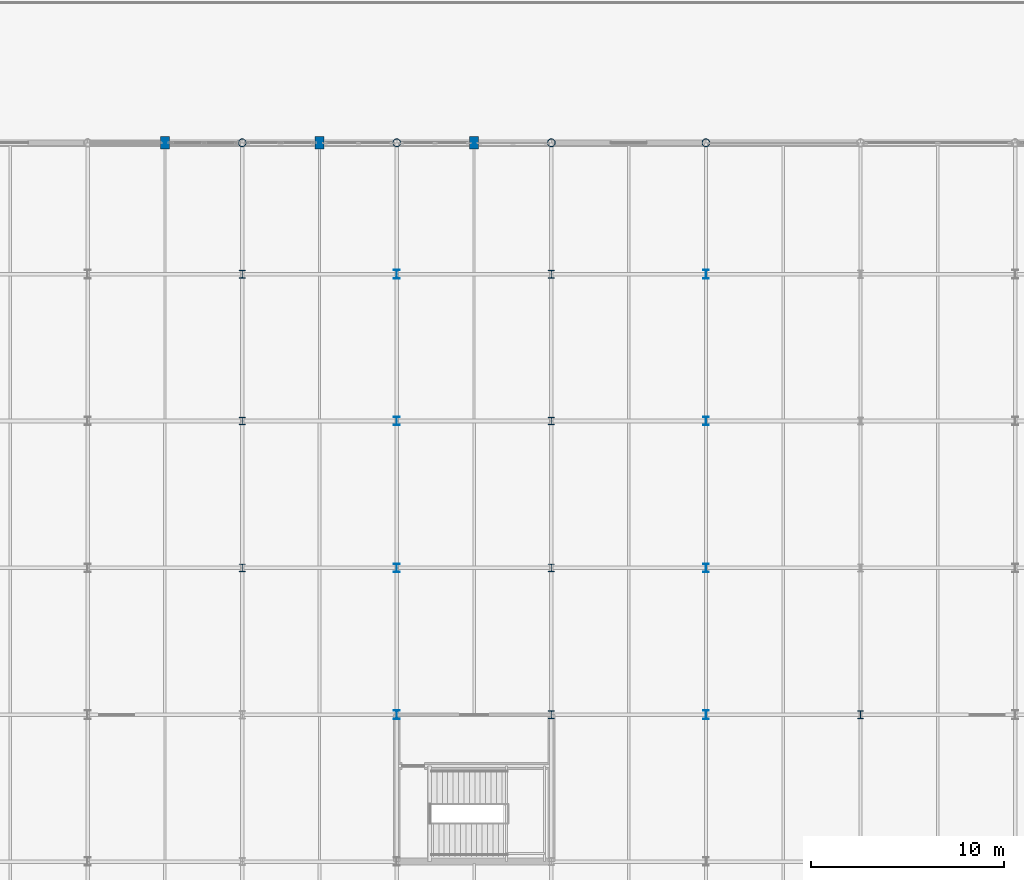
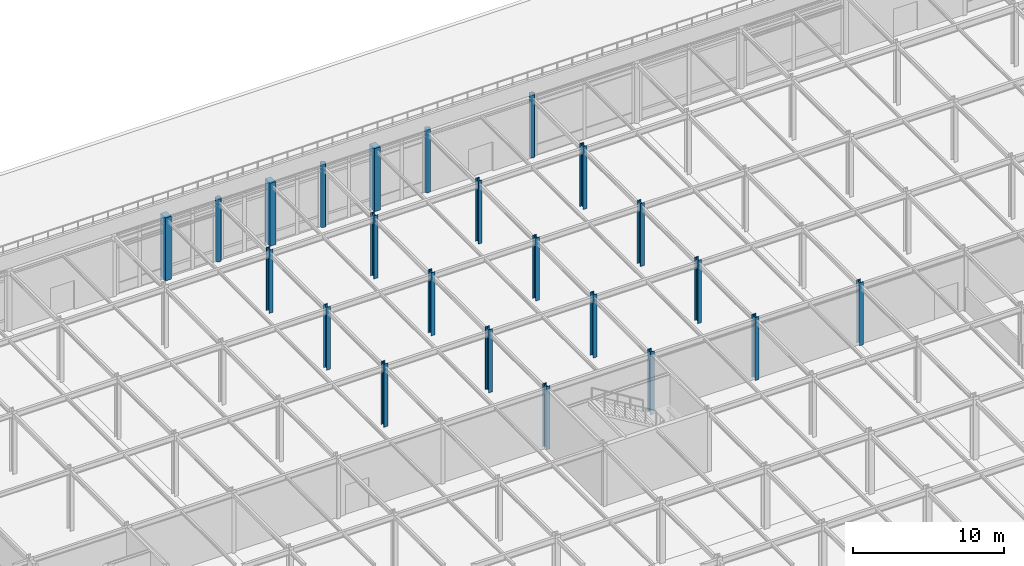
# One storey, part 11 of 113: 23 columns.
"""IFC4 building model written with IfcOpenShell, lengths in metres."""

from ifc_helpers import new_model, si_unit, direction, frame, origin, origin_2d, place, context, subcontext, project, spatial, rectangle, hollow_circle, i_section, extrude, material, material_profile, profile_set, type_object, element, save


model = new_model("IFC4")

# Units and contexts
model_context = context("Model", 3, precision=1e-05, world=origin(), true_north=direction((0.0, 1.0)))
body_context = subcontext(model_context, "Body", "Model", "MODEL_VIEW")
ifc_project = project(units=[si_unit("LENGTHUNIT", "METRE"), si_unit("AREAUNIT", "SQUARE_METRE"), si_unit("VOLUMEUNIT", "CUBIC_METRE"), si_unit("PLANEANGLEUNIT", "RADIAN"), si_unit("MASSUNIT", "GRAM", prefix="KILO")], contexts=[model_context])

# Site, building, storey
site_placement = place(None, origin())
site = spatial("IfcSite", under=ifc_project, at=site_placement, CompositionType="ELEMENT")
building_placement = place(site_placement, origin())
building = spatial("IfcBuilding", under=site, at=building_placement, Name="Shalkamar Park Central Library", CompositionType="ELEMENT")
storey_placement = place(building_placement, frame((0.0, 0.0, 5.39990234375)))
storey = spatial("IfcBuildingStorey", under=building, at=storey_placement, Name="L02", CompositionType="ELEMENT", Elevation=5.39990234375)

# Columns
ifc_material_1 = material(Name="Steel S355", Category="steel")
ifc_material_profile_1 = material_profile(ifc_material_1, i_section(OverallWidth=0.300048828125, OverallDepth=0.39990234375, WebThickness=0.013427734375, FlangeThickness=0.02392578125, FilletRadius=0.027099609375, at=origin_2d()), Name="HEB 400")
ifc_profile_set_1 = profile_set([ifc_material_profile_1], Name="Steel S355")
column_type_1 = type_object("IfcColumnType", Name="Column Steel HEB400", PredefinedType="COLUMN", material=ifc_profile_set_1)
for number, where, z_axis, x_axis, name in (
    (1, (189.0, 316.0, 0.0), (0.0, 0.0, 1.0), (1.0, 0.0, 0.0), "Column 10/L (L02)"),
    (2, (189.0, 323.60009765625, 0.0), (0.0, 0.0, 1.0), (1.0, 0.0, 0.0), "Column 10/M (L02)"),
    (3, (189.0, 331.199951171875, 0.0), (0.0, 0.0, 1.0), (1.0, 0.0, 0.0), "Column 10/N (L02)"),
    (4, (205.0, 308.39990234375, 0.0), (0.0, 0.0, 1.0), (1.0, 0.0, 0.0), "Column 12/K (L02)"),
    (5, (205.0, 316.0, 0.0), (0.0, 0.0, 1.0), (1.0, 0.0, 0.0), "Column 12/L (L02)"),
    (6, (205.0, 323.60009765625, 0.0), (0.0, 0.0, 1.0), (1.0, 0.0, 0.0), "Column 12/M (L02)"),
    (7, (205.0, 331.199951171875, 0.0), (0.0, 0.0, 1.0), (1.0, 0.0, 0.0), "Column 12/N (L02)"),
    (8, (221.0, 308.39990234375, 0.0), (0.0, 0.0, 1.0), (1.0, 0.0, 0.0), "Column 14/K (L02)"),
):
    element("IfcColumn", number, at=place(storey_placement, frame(where, z_axis=z_axis, x_axis=x_axis)), inside=storey, type_object=column_type_1, Name=name, PredefinedType="COLUMN", context=body_context, shape_type="SweptSolid", body=[
        extrude(i_section(OverallWidth=0.300048828125, OverallDepth=0.39990234375, WebThickness=0.013427734375, FlangeThickness=0.02392578125, FilletRadius=0.027099609375, at=origin_2d()), origin(), (0.0, 0.0, 1.0), 5.10009765625),
    ])
ifc_material_profile_2 = material_profile(ifc_material_1, i_section(OverallWidth=0.300048828125, OverallDepth=0.449951171875, WebThickness=0.013916015625, FlangeThickness=0.02587890625, FilletRadius=0.027099609375, at=origin_2d()), Name="HEB 450")
ifc_profile_set_2 = profile_set([ifc_material_profile_2], Name="Steel S355")
column_type_2 = type_object("IfcColumnType", Name="Column Steel HEB450", PredefinedType="COLUMN", material=ifc_profile_set_2)
for number, where, z_axis, x_axis, name in (
    (9, (197.0, 308.39990234375, 0.0), (0.0, 0.0, 1.0), (1.0, 0.0, 0.0), "Column 11/K (L02)"),
    (10, (197.0, 316.0, 0.0), (0.0, 0.0, 1.0), (1.0, 0.0, 0.0), "Column 11/L (L02)"),
    (11, (197.0, 323.60009765625, 0.0), (0.0, 0.0, 1.0), (1.0, 0.0, 0.0), "Column 11/M (L02)"),
    (12, (197.0, 331.199951171875, 0.0), (0.0, 0.0, 1.0), (1.0, 0.0, 0.0), "Column 11/N (L02)"),
    (13, (213.0, 308.39990234375, 0.0), (0.0, 0.0, 1.0), (1.0, 0.0, 0.0), "Column 13/K (L02)"),
    (14, (213.0, 316.0, 0.0), (0.0, 0.0, 1.0), (1.0, 0.0, 0.0), "Column 13/L (L02)"),
    (15, (213.0, 323.60009765625, 0.0), (0.0, 0.0, 1.0), (1.0, 0.0, 0.0), "Column 13/M (L02)"),
    (16, (213.0, 331.199951171875, 0.0), (0.0, 0.0, 1.0), (1.0, 0.0, 0.0), "Column 13/N (L02)"),
):
    element("IfcColumn", number, at=place(storey_placement, frame(where, z_axis=z_axis, x_axis=x_axis)), inside=storey, type_object=column_type_2, Name=name, PredefinedType="COLUMN", context=body_context, shape_type="SweptSolid", body=[
        extrude(i_section(OverallWidth=0.300048828125, OverallDepth=0.449951171875, WebThickness=0.013916015625, FlangeThickness=0.02587890625, FilletRadius=0.027099609375, at=origin_2d()), origin(), (0.0, 0.0, 1.0), 5.10009765625),
    ])
ifc_material_profile_3 = material_profile(ifc_material_1, hollow_circle(Radius=0.203125, WallThickness=0.01611328125, at=origin_2d()), Name="CHS 406.4x16")
ifc_profile_set_3 = profile_set([ifc_material_profile_3], Name="Steel S355")
column_type_3 = type_object("IfcColumnType", Name="Column Tube CHS406", PredefinedType="COLUMN", material=ifc_profile_set_3)
for number, where, z_axis, x_axis, name in (
    (17, (189.0, 338.0, 0.0), (0.0, 0.0, 1.0), (1.0, 0.0, 0.0), "Column 10/P (L02)"),
    (18, (197.0, 338.0, 0.0), (0.0, 0.0, 1.0), (1.0, 0.0, 0.0), "Column 11/P (L02)"),
    (19, (205.0, 338.0, 0.0), (0.0, 0.0, 1.0), (1.0, 0.0, 0.0), "Column 12/P (L02)"),
    (20, (213.0, 338.0, 0.0), (0.0, 0.0, 1.0), (1.0, 0.0, 0.0), "Column 13/P (L02)"),
):
    element("IfcColumn", number, at=place(storey_placement, frame(where, z_axis=z_axis, x_axis=x_axis)), inside=storey, type_object=column_type_3, Name=name, PredefinedType="COLUMN", context=body_context, shape_type="SweptSolid", body=[
        extrude(hollow_circle(Radius=0.203125, WallThickness=0.01611328125, at=origin_2d()), origin(), (0.0, 0.0, 1.0), 5.10009765625),
    ])
ifc_material_2 = material(Name="Concrete C40/50", Category="concrete")
ifc_material_profile_4 = material_profile(ifc_material_2, rectangle(XDim=0.449951171875, YDim=0.64990234375, at=origin_2d()), Name="RC 450x650")
ifc_profile_set_4 = profile_set([ifc_material_profile_4], Name="Concrete C40/50")
column_type_4 = type_object("IfcColumnType", Name="Engaged Pilaster RC450x650", PredefinedType="PILASTER", material=ifc_profile_set_4)
for number, where, z_axis, x_axis, name in (
    (21, (185.0, 338.0, 0.0), (0.0, 0.0, 1.0), (1.0, 0.0, 0.0), "Terrace Facade Pilaster P-08 (L02)"),
    (22, (193.0, 338.0, 0.0), (0.0, 0.0, 1.0), (1.0, 0.0, 0.0), "Terrace Facade Pilaster P-09 (L02)"),
    (23, (201.0, 338.0, 0.0), (0.0, 0.0, 1.0), (1.0, 0.0, 0.0), "Terrace Facade Pilaster P-10 (L02)"),
):
    element("IfcColumn", number, at=place(storey_placement, frame(where, z_axis=z_axis, x_axis=x_axis)), inside=storey, type_object=column_type_4, Name=name, PredefinedType="PILASTER", context=body_context, shape_type="SweptSolid", body=[
        extrude(rectangle(XDim=0.449951171875, YDim=0.64990234375, at=origin_2d()), origin(), (0.0, 0.0, 1.0), 5.10009765625),
    ])

save(model, "model.ifc")
